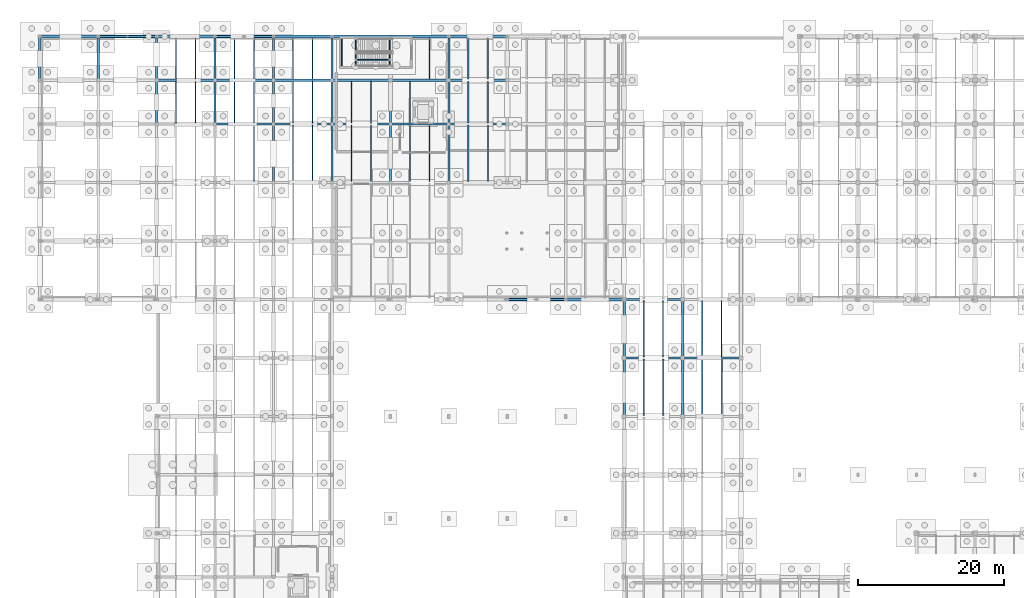
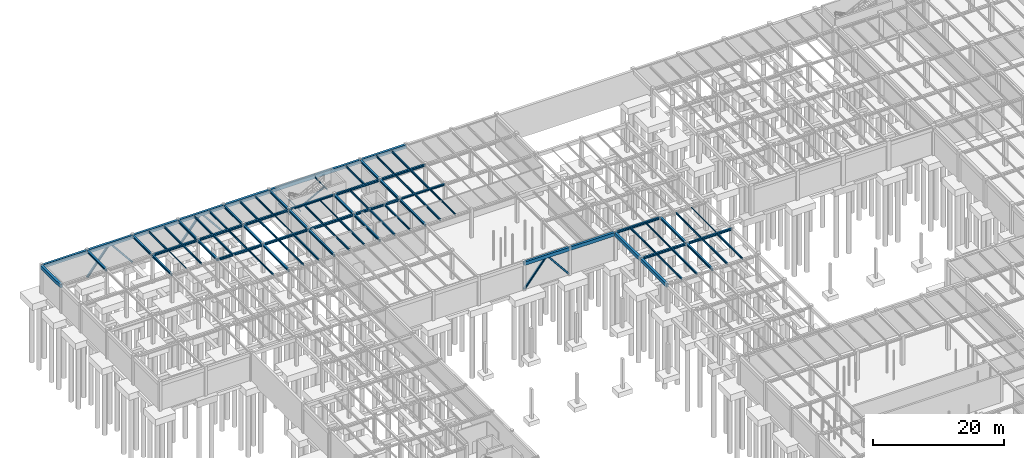
# One storey, part 26 of 71: 85 beams, 7 members.
"""IFC4 building model written with IfcOpenShell, lengths in metres."""

from ifc_helpers import new_model, si_unit, direction, frame, origin, origin_2d, place, context, subcontext, project, spatial, rectangle, i_section, extrude, material, material_profile, profile_set, type_object, element, save


model = new_model("IFC4")

# Units and contexts
model_context = context("Model", 3, precision=1e-05, world=origin(), true_north=direction((0.0, 1.0)))
body_context = subcontext(model_context, "Body", "Model", "MODEL_VIEW")
ifc_project = project(units=[si_unit("LENGTHUNIT", "METRE"), si_unit("AREAUNIT", "SQUARE_METRE"), si_unit("VOLUMEUNIT", "CUBIC_METRE"), si_unit("PLANEANGLEUNIT", "RADIAN"), si_unit("MASSUNIT", "GRAM", prefix="KILO")], contexts=[model_context])

# Site, building, storey
site_placement = place(None, origin())
site = spatial("IfcSite", under=ifc_project, at=site_placement, CompositionType="ELEMENT")
building_placement = place(site_placement, origin())
building = spatial("IfcBuilding", under=site, at=building_placement, Name="Sundkrona Museum", CompositionType="ELEMENT")
storey_placement = place(building_placement, frame((0.0, 0.0, -5.39990234375)))
storey = spatial("IfcBuildingStorey", under=building, at=storey_placement, Name="B1", CompositionType="ELEMENT", Elevation=-5.39990234375)

# Beams
ifc_material_1 = material(Name="Steel S355J2", Category="steel")
ifc_material_profile_1 = material_profile(ifc_material_1, i_section(OverallWidth=0.300048828125, OverallDepth=0.2900390625, WebThickness=0.008544921875, FlangeThickness=0.013916015625, FilletRadius=0.027099609375, at=origin_2d()), Name="HEA 300")
ifc_profile_set_1 = profile_set([ifc_material_profile_1], Name="Steel S355J2")
beam_type_1 = type_object("IfcBeamType", Name="B-HEA300", PredefinedType="BEAM", material=ifc_profile_set_1)
beam_1_placement = place(storey_placement, frame((56.0, 102.0, 5.014892578125), z_axis=(1.0, 0.0, 0.0), x_axis=(0.0, 1.0, 0.0)))
element("IfcBeam", 1, at=beam_1_placement, inside=storey, type_object=beam_type_1, Name="B1 Girder X-0162", PredefinedType="BEAM", context=body_context, shape_type="SweptSolid", body=[
    extrude(i_section(OverallWidth=0.300048828125, OverallDepth=0.2900390625, WebThickness=0.008544921875, FlangeThickness=0.013916015625, FilletRadius=0.027099609375, at=origin_2d()), origin(), (0.0, 0.0, 1.0), 8.0),
])
ifc_material_profile_2 = material_profile(ifc_material_1, i_section(OverallWidth=0.300048828125, OverallDepth=0.300048828125, WebThickness=0.010986328125, FlangeThickness=0.01904296875, FilletRadius=0.027099609375, at=origin_2d()), Name="HEB 300")
ifc_profile_set_2 = profile_set([ifc_material_profile_2], Name="Steel S355J2")
beam_type_2 = type_object("IfcBeamType", Name="B-HEB300", PredefinedType="BEAM", material=ifc_profile_set_2)
beam_2_placement = place(storey_placement, frame((40.0, 108.0, 5.010009765625), z_axis=(1.0, 0.0, 0.0), x_axis=(0.0, 1.0, 0.0)))
element("IfcBeam", 2, at=beam_2_placement, inside=storey, type_object=beam_type_2, Name="B1 Girder X-0180", PredefinedType="BEAM", context=body_context, shape_type="SweptSolid", body=[
    extrude(i_section(OverallWidth=0.300048828125, OverallDepth=0.300048828125, WebThickness=0.010986328125, FlangeThickness=0.01904296875, FilletRadius=0.027099609375, at=origin_2d()), origin(), (0.0, 0.0, 1.0), 8.0),
])
ifc_material_profile_3 = material_profile(ifc_material_1, i_section(OverallWidth=0.300048828125, OverallDepth=0.39990234375, WebThickness=0.013427734375, FlangeThickness=0.02392578125, FilletRadius=0.027099609375, at=origin_2d()), Name="HEB 400")
ifc_profile_set_3 = profile_set([ifc_material_profile_3], Name="Steel S355J2")
beam_type_3 = type_object("IfcBeamType", Name="B-HEB400", PredefinedType="BEAM", material=ifc_profile_set_3)
for number, where, z_axis, x_axis, name in (
    (3, (80.0, 70.0, 4.93994140625), (1.0, 0.0, 0.0), (0.0, 1.0, 0.0), "B1 Girder X-0091"),
    (4, (88.0, 70.0, 4.93994140625), (1.0, 0.0, 0.0), (0.0, 1.0, 0.0), "B1 Girder X-0092"),
    (5, (80.0, 78.0, 4.93994140625), (1.0, 0.0, 0.0), (0.0, 1.0, 0.0), "B1 Girder X-0107"),
    (6, (24.0, 102.0, 4.9599609375), (1.0, 0.0, 0.0), (0.0, 1.0, 0.0), "B1 Girder X-0158"),
    (7, (32.0, 102.0, 4.9599609375), (1.0, 0.0, 0.0), (0.0, 1.0, 0.0), "B1 Girder X-0159"),
    (8, (40.0, 102.0, 4.9599609375), (1.0, 0.0, 0.0), (0.0, 1.0, 0.0), "B1 Girder X-0160"),
    (9, (48.0, 102.0, 4.9599609375), (1.0, 0.0, 0.0), (0.0, 1.0, 0.0), "B1 Girder X-0161"),
    (10, (16.0, 108.0, 4.9599609375), (1.0, 0.0, 0.0), (0.0, 1.0, 0.0), "B1 Girder X-0177"),
    (11, (24.0, 108.0, 4.9599609375), (1.0, 0.0, 0.0), (0.0, 1.0, 0.0), "B1 Girder X-0178"),
    (12, (32.0, 108.0, 4.9599609375), (1.0, 0.0, 0.0), (0.0, 1.0, 0.0), "B1 Girder X-0179"),
    (13, (48.0, 108.0, 4.9599609375), (1.0, 0.0, 0.0), (0.0, 1.0, 0.0), "B1 Girder X-0181"),
    (14, (56.0, 108.0, 4.9599609375), (1.0, 0.0, 0.0), (0.0, 1.0, 0.0), "B1 Girder X-0182"),
):
    element("IfcBeam", number, at=place(storey_placement, frame(where, z_axis=z_axis, x_axis=x_axis)), inside=storey, type_object=beam_type_3, Name=name, PredefinedType="BEAM", context=body_context, shape_type="SweptSolid", body=[
        extrude(i_section(OverallWidth=0.300048828125, OverallDepth=0.39990234375, WebThickness=0.013427734375, FlangeThickness=0.02392578125, FilletRadius=0.027099609375, at=origin_2d()), origin(), (0.0, 0.0, 1.0), 8.0),
    ])
for number, where, z_axis, x_axis, name in (
    (15, (8.0, 108.0, 4.9599609375), (0.0, 1.0, 0.0), (-1.0, 0.0, 0.0), "B1 Girder Y-0220"),
    (16, (16.0, 102.0, 4.9599609375), (0.0, 1.0, 0.0), (-1.0, 0.0, 0.0), "B1 Girder Y-0225"),
    (17, (16.0, 108.0, 4.9599609375), (0.0, 1.0, 0.0), (-1.0, 0.0, 0.0), "B1 Girder Y-0226"),
    (18, (24.0, 102.0, 4.9599609375), (0.0, 1.0, 0.0), (-1.0, 0.0, 0.0), "B1 Girder Y-0236"),
    (19, (24.0, 108.0, 4.9599609375), (0.0, 1.0, 0.0), (-1.0, 0.0, 0.0), "B1 Girder Y-0237"),
):
    element("IfcBeam", number, at=place(storey_placement, frame(where, z_axis=z_axis, x_axis=x_axis)), inside=storey, type_object=beam_type_3, Name=name, PredefinedType="BEAM", context=body_context, shape_type="SweptSolid", body=[
        extrude(i_section(OverallWidth=0.300048828125, OverallDepth=0.39990234375, WebThickness=0.013427734375, FlangeThickness=0.02392578125, FilletRadius=0.027099609375, at=origin_2d()), origin(), (0.0, 0.0, 1.0), 6.0),
    ])
beam_3_placement = place(storey_placement, frame((32.0, 94.0, 4.9599609375), z_axis=(0.0, 1.0, 0.0), x_axis=(-1.0, 0.0, 0.0)))
element("IfcBeam", 20, at=beam_3_placement, inside=storey, type_object=beam_type_3, Name="B1 Girder Y-0245", PredefinedType="BEAM", context=body_context, shape_type="SweptSolid", body=[
    extrude(i_section(OverallWidth=0.300048828125, OverallDepth=0.39990234375, WebThickness=0.013427734375, FlangeThickness=0.02392578125, FilletRadius=0.027099609375, at=origin_2d()), origin(), (0.0, 0.0, 1.0), 8.0),
])
for number, where, z_axis, x_axis, name in (
    (21, (32.0, 102.0, 4.9599609375), (0.0, 1.0, 0.0), (-1.0, 0.0, 0.0), "B1 Girder Y-0246"),
    (22, (32.0, 108.0, 4.9599609375), (0.0, 1.0, 0.0), (-1.0, 0.0, 0.0), "B1 Girder Y-0247"),
):
    element("IfcBeam", number, at=place(storey_placement, frame(where, z_axis=z_axis, x_axis=x_axis)), inside=storey, type_object=beam_type_3, Name=name, PredefinedType="BEAM", context=body_context, shape_type="SweptSolid", body=[
        extrude(i_section(OverallWidth=0.300048828125, OverallDepth=0.39990234375, WebThickness=0.013427734375, FlangeThickness=0.02392578125, FilletRadius=0.027099609375, at=origin_2d()), origin(), (0.0, 0.0, 1.0), 6.0),
    ])
beam_4_placement = place(storey_placement, frame((40.0, 94.0, 4.9599609375), z_axis=(0.0, 1.0, 0.0), x_axis=(-1.0, 0.0, 0.0)))
element("IfcBeam", 23, at=beam_4_placement, inside=storey, type_object=beam_type_3, Name="B1 Girder Y-0256", PredefinedType="BEAM", context=body_context, shape_type="SweptSolid", body=[
    extrude(i_section(OverallWidth=0.300048828125, OverallDepth=0.39990234375, WebThickness=0.013427734375, FlangeThickness=0.02392578125, FilletRadius=0.027099609375, at=origin_2d()), origin(), (0.0, 0.0, 1.0), 8.0),
])
for number, where, z_axis, x_axis, name in (
    (24, (40.0, 102.0, 4.9599609375), (0.0, 1.0, 0.0), (-1.0, 0.0, 0.0), "B1 Girder Y-0257"),
    (25, (40.0, 108.0, 4.9599609375), (0.0, 1.0, 0.0), (-1.0, 0.0, 0.0), "B1 Girder Y-0258"),
):
    element("IfcBeam", number, at=place(storey_placement, frame(where, z_axis=z_axis, x_axis=x_axis)), inside=storey, type_object=beam_type_3, Name=name, PredefinedType="BEAM", context=body_context, shape_type="SweptSolid", body=[
        extrude(i_section(OverallWidth=0.300048828125, OverallDepth=0.39990234375, WebThickness=0.013427734375, FlangeThickness=0.02392578125, FilletRadius=0.027099609375, at=origin_2d()), origin(), (0.0, 0.0, 1.0), 6.0),
    ])
beam_5_placement = place(storey_placement, frame((48.0, 94.0, 4.9599609375), z_axis=(0.0, 1.0, 0.0), x_axis=(-1.0, 0.0, 0.0)))
element("IfcBeam", 26, at=beam_5_placement, inside=storey, type_object=beam_type_3, Name="B1 Girder Y-0261", PredefinedType="BEAM", context=body_context, shape_type="SweptSolid", body=[
    extrude(i_section(OverallWidth=0.300048828125, OverallDepth=0.39990234375, WebThickness=0.013427734375, FlangeThickness=0.02392578125, FilletRadius=0.027099609375, at=origin_2d()), origin(), (0.0, 0.0, 1.0), 8.0),
])
beam_6_placement = place(storey_placement, frame((48.0, 102.0, 4.9599609375), z_axis=(0.0, 1.0, 0.0), x_axis=(-1.0, 0.0, 0.0)))
element("IfcBeam", 27, at=beam_6_placement, inside=storey, type_object=beam_type_3, Name="B1 Girder Y-0262", PredefinedType="BEAM", context=body_context, shape_type="SweptSolid", body=[
    extrude(i_section(OverallWidth=0.300048828125, OverallDepth=0.39990234375, WebThickness=0.013427734375, FlangeThickness=0.02392578125, FilletRadius=0.027099609375, at=origin_2d()), origin(), (0.0, 0.0, 1.0), 6.0),
])
beam_7_placement = place(storey_placement, frame((56.0, 94.0, 4.9599609375), z_axis=(0.0, 1.0, 0.0), x_axis=(-1.0, 0.0, 0.0)))
element("IfcBeam", 28, at=beam_7_placement, inside=storey, type_object=beam_type_3, Name="B1 Girder Y-0265", PredefinedType="BEAM", context=body_context, shape_type="SweptSolid", body=[
    extrude(i_section(OverallWidth=0.300048828125, OverallDepth=0.39990234375, WebThickness=0.013427734375, FlangeThickness=0.02392578125, FilletRadius=0.027099609375, at=origin_2d()), origin(), (0.0, 0.0, 1.0), 8.0),
])
for number, where, z_axis, x_axis, name in (
    (29, (56.0, 102.0, 4.9599609375), (0.0, 1.0, 0.0), (-1.0, 0.0, 0.0), "B1 Girder Y-0266"),
    (30, (56.0, 108.0, 4.9599609375), (0.0, 1.0, 0.0), (-1.0, 0.0, 0.0), "B1 Girder Y-0267"),
):
    element("IfcBeam", number, at=place(storey_placement, frame(where, z_axis=z_axis, x_axis=x_axis)), inside=storey, type_object=beam_type_3, Name=name, PredefinedType="BEAM", context=body_context, shape_type="SweptSolid", body=[
        extrude(i_section(OverallWidth=0.300048828125, OverallDepth=0.39990234375, WebThickness=0.013427734375, FlangeThickness=0.02392578125, FilletRadius=0.027099609375, at=origin_2d()), origin(), (0.0, 0.0, 1.0), 6.0),
    ])
for number, where, z_axis, x_axis, name in (
    (31, (88.0, 62.0, 4.93994140625), (0.0, 1.0, 0.0), (-1.0, 0.0, 0.0), "B1 Girder Y-0299"),
    (32, (88.0, 70.0, 4.93994140625), (0.0, 1.0, 0.0), (-1.0, 0.0, 0.0), "B1 Girder Y-0300"),
):
    element("IfcBeam", number, at=place(storey_placement, frame(where, z_axis=z_axis, x_axis=x_axis)), inside=storey, type_object=beam_type_3, Name=name, PredefinedType="BEAM", context=body_context, shape_type="SweptSolid", body=[
        extrude(i_section(OverallWidth=0.300048828125, OverallDepth=0.39990234375, WebThickness=0.013427734375, FlangeThickness=0.02392578125, FilletRadius=0.027099609375, at=origin_2d()), origin(), (0.0, 0.0, 1.0), 8.0),
    ])
ifc_material_2 = material(Name="Concrete C40/50", Category="concrete")
ifc_material_profile_4 = material_profile(ifc_material_2, rectangle(XDim=0.39990234375, YDim=0.64990234375, at=origin_2d()), Name="RCB 400x650")
ifc_profile_set_4 = profile_set([ifc_material_profile_4], Name="Concrete C40/50")
beam_type_4 = type_object("IfcBeamType", Name="B-RC400", PredefinedType="BEAM", material=ifc_profile_set_4)
for number, where, z_axis, x_axis, name in (
    (33, (64.0, 78.0, 4.8349609375), (1.0, 0.0, 0.0), (0.0, 1.0, 0.0), "B1 Girder X-0105"),
    (34, (72.0, 78.0, 4.81494140625), (1.0, 0.0, 0.0), (0.0, 1.0, 0.0), "B1 Girder X-0106"),
    (35, (0.0, 114.0, 4.8349609375), (1.0, 0.0, 0.0), (0.0, 1.0, 0.0), "B1 Girder X-0193"),
    (36, (8.0, 114.0, 4.8349609375), (1.0, 0.0, 0.0), (0.0, 1.0, 0.0), "B1 Girder X-0194"),
    (37, (16.0, 114.0, 4.8349609375), (1.0, 0.0, 0.0), (0.0, 1.0, 0.0), "B1 Girder X-0195"),
    (38, (24.0, 114.0, 4.8349609375), (1.0, 0.0, 0.0), (0.0, 1.0, 0.0), "B1 Girder X-0196"),
    (39, (32.0, 114.0, 4.8349609375), (1.0, 0.0, 0.0), (0.0, 1.0, 0.0), "B1 Girder X-0197"),
    (40, (40.0, 114.0, 4.8349609375), (1.0, 0.0, 0.0), (0.0, 1.0, 0.0), "B1 Girder X-0198"),
    (41, (48.0, 114.0, 4.8349609375), (1.0, 0.0, 0.0), (0.0, 1.0, 0.0), "B1 Girder X-0199"),
    (42, (56.0, 114.0, 4.8349609375), (1.0, 0.0, 0.0), (0.0, 1.0, 0.0), "B1 Girder X-0200"),
):
    element("IfcBeam", number, at=place(storey_placement, frame(where, z_axis=z_axis, x_axis=x_axis)), inside=storey, type_object=beam_type_4, Name=name, PredefinedType="BEAM", context=body_context, shape_type="SweptSolid", body=[
        extrude(rectangle(XDim=0.39990234375, YDim=0.64990234375, at=origin_2d()), origin(), (0.0, 0.0, 1.0), 8.0),
    ])
beam_8_placement = place(storey_placement, frame((0.0, 108.0, 4.8349609375), z_axis=(0.0, 1.0, 0.0), x_axis=(-1.0, 0.0, 0.0)))
element("IfcBeam", 43, at=beam_8_placement, inside=storey, type_object=beam_type_4, Name="B1 Girder Y-0215", PredefinedType="BEAM", context=body_context, shape_type="SweptSolid", body=[
    extrude(rectangle(XDim=0.39990234375, YDim=0.64990234375, at=origin_2d()), origin(), (0.0, 0.0, 1.0), 6.0),
])
for number, where, z_axis, x_axis, name in (
    (44, (80.0, 62.0, 4.81494140625), (0.0, 1.0, 0.0), (-1.0, 0.0, 0.0), "B1 Girder Y-0284"),
    (45, (80.0, 70.0, 4.81494140625), (0.0, 1.0, 0.0), (-1.0, 0.0, 0.0), "B1 Girder Y-0285"),
):
    element("IfcBeam", number, at=place(storey_placement, frame(where, z_axis=z_axis, x_axis=x_axis)), inside=storey, type_object=beam_type_4, Name=name, PredefinedType="BEAM", context=body_context, shape_type="SweptSolid", body=[
        extrude(rectangle(XDim=0.39990234375, YDim=0.64990234375, at=origin_2d()), origin(), (0.0, 0.0, 1.0), 8.0),
    ])

# Members
ifc_material_profile_5 = material_profile(ifc_material_1, i_section(OverallWidth=0.300048828125, OverallDepth=0.2900390625, WebThickness=0.008544921875, FlangeThickness=0.013916015625, FilletRadius=0.027099609375, at=origin_2d()), Name="HEA 300")
ifc_profile_set_5 = profile_set([ifc_material_profile_5], Name="Steel S355J2")
member_type_1 = type_object("IfcMemberType", Name="BR-HEA300", PredefinedType="BRACE", material=ifc_profile_set_5)
for number, where, z_axis, x_axis, name in (
    (46, (24.0, 114.0, 0.0), (0.629293246808, 0.0, 0.777167941645), (0.0, 1.0, 0.0), "CBR-1 B1 Concentric Chevron Brace 013A"),
    (47, (32.0, 114.0, 0.0), (-0.629293246808, 0.0, 0.777167941645), (0.0, -1.0, 0.0), "CBR-1 B1 Concentric Chevron Brace 013B"),
    (48, (64.0, 78.0, 0.0), (0.629293246808, 0.0, 0.777167941645), (0.0, 1.0, 0.0), "CBR-1 B1 Concentric Chevron Brace 018A"),
    (49, (72.0, 78.0, 0.0), (-0.629293246808, 0.0, 0.777167941645), (0.0, -1.0, 0.0), "CBR-1 B1 Concentric Chevron Brace 018B"),
    (50, (8.0, 114.0, 0.0), (0.629293246808, 0.0, 0.777167941645), (0.0, 1.0, 0.0), "CBR-1 B1 Concentric Chevron Brace 032A"),
    (51, (16.0, 114.0, 0.0), (-0.629293246808, 0.0, 0.777167941645), (0.0, -1.0, 0.0), "CBR-1 B1 Concentric Chevron Brace 032B"),
):
    element("IfcMember", number, at=place(storey_placement, frame(where, z_axis=z_axis, x_axis=x_axis)), inside=storey, type_object=member_type_1, Name=name, PredefinedType="BRACE", context=body_context, shape_type="SweptSolid", body=[
        extrude(i_section(OverallWidth=0.300048828125, OverallDepth=0.2900390625, WebThickness=0.008544921875, FlangeThickness=0.013916015625, FilletRadius=0.027099609375, at=origin_2d()), origin(), (0.0, 0.0, 1.0), 6.3564453125),
    ])
ifc_material_profile_6 = material_profile(ifc_material_1, i_section(OverallWidth=0.135009765625, OverallDepth=0.27001953125, WebThickness=0.006591796875, FlangeThickness=0.01025390625, FilletRadius=0.014892578125, at=origin_2d()), Name="IPE 270")
ifc_profile_set_6 = profile_set([ifc_material_profile_6], Name="Steel S355J2")
member_type_2 = type_object("IfcMemberType", Name="BR-IPE270", PredefinedType="BRACE", material=ifc_profile_set_6)
member_placement = place(storey_placement, frame((43.284912109375, 110.800048828125, 2.3798828125), z_axis=(0.884492571905, 0.0, 0.466554273632), x_axis=(0.0, 1.0, 0.0)))
element("IfcMember", 52, at=member_placement, inside=storey, type_object=member_type_2, Name="SRK-1 B1 ST-3 Flight 2 Inclined Carriage Raker", PredefinedType="BRACE", context=body_context, shape_type="SweptSolid", body=[
    extrude(i_section(OverallWidth=0.135009765625, OverallDepth=0.27001953125, WebThickness=0.006591796875, FlangeThickness=0.01025390625, FilletRadius=0.014892578125, at=origin_2d()), origin(), (0.0, 0.0, 1.0), 5.2177734375),
])

# Beams
ifc_material_profile_7 = material_profile(ifc_material_1, i_section(OverallWidth=0.091064453125, OverallDepth=0.179931640625, WebThickness=0.00537109375, FlangeThickness=0.008056640625, FilletRadius=0.009033203125, at=origin_2d()), Name="IPE 180")
ifc_profile_set_7 = profile_set([ifc_material_profile_7], Name="Steel S355J2")
beam_type_5 = type_object("IfcBeamType", Name="J-IPE180", PredefinedType="JOIST", material=ifc_profile_set_7)
for number, where, z_axis, x_axis, name in (
    (53, (18.666748046875, 102.14404296875, 5.06982421875), (0.0, 1.0, 0.0), (-1.0, 0.0, 0.0), "B1 Composite Joist 0015"),
    (54, (37.333251953125, 102.14404296875, 5.06982421875), (0.0, 1.0, 0.0), (-1.0, 0.0, 0.0), "B1 Composite Joist 0055"),
):
    element("IfcBeam", number, at=place(storey_placement, frame(where, z_axis=z_axis, x_axis=x_axis)), inside=storey, type_object=beam_type_5, Name=name, PredefinedType="JOIST", context=body_context, shape_type="SweptSolid", body=[
        extrude(i_section(OverallWidth=0.091064453125, OverallDepth=0.179931640625, WebThickness=0.00537109375, FlangeThickness=0.008056640625, FilletRadius=0.009033203125, at=origin_2d()), origin(), (0.0, 0.0, 1.0), 5.7119140625),
    ])
beam_9_placement = place(storey_placement, frame((93.333251953125, 70.14404296875, 5.0498046875), z_axis=(0.0, 1.0, 0.0), x_axis=(-1.0, 0.0, 0.0)))
element("IfcBeam", 55, at=beam_9_placement, inside=storey, type_object=beam_type_5, Name="B1 Composite Joist 0135", PredefinedType="JOIST", context=body_context, shape_type="SweptSolid", body=[
    extrude(i_section(OverallWidth=0.091064453125, OverallDepth=0.179931640625, WebThickness=0.00537109375, FlangeThickness=0.008056640625, FilletRadius=0.009033203125, at=origin_2d()), origin(), (0.0, 0.0, 1.0), 7.7119140625),
])
ifc_material_profile_8 = material_profile(ifc_material_1, i_section(OverallWidth=0.10009765625, OverallDepth=0.199951171875, WebThickness=0.005615234375, FlangeThickness=0.008544921875, FilletRadius=0.011962890625, at=origin_2d()), Name="IPE 200")
ifc_profile_set_8 = profile_set([ifc_material_profile_8], Name="Steel S355J2")
beam_type_6 = type_object("IfcBeamType", Name="J-IPE200", PredefinedType="JOIST", material=ifc_profile_set_8)
for number, where, z_axis, x_axis, name in (
    (56, (41.339599609375, 109.909912109375, 2.3798828125), (0.0, 1.0, 0.0), (-1.0, 0.0, 0.0), "B1 ST-3 Mid-Landing Trimmer Beam 1A"),
    (57, (43.245361328125, 109.909912109375, 2.3798828125), (0.0, 1.0, 0.0), (-1.0, 0.0, 0.0), "B1 ST-3 Mid-Landing Trimmer Beam 1B"),
    (58, (47.89990234375, 109.909912109375, 4.814208984375), (0.0, 1.0, 0.0), (-1.0, 0.0, 0.0), "B1 ST-3 Flight 2 Arrival Header Beam"),
):
    element("IfcBeam", number, at=place(storey_placement, frame(where, z_axis=z_axis, x_axis=x_axis)), inside=storey, type_object=beam_type_6, Name=name, PredefinedType="JOIST", context=body_context, shape_type="SweptSolid", body=[
        extrude(i_section(OverallWidth=0.10009765625, OverallDepth=0.199951171875, WebThickness=0.005615234375, FlangeThickness=0.008544921875, FilletRadius=0.011962890625, at=origin_2d()), origin(), (0.0, 0.0, 1.0), 3.780029296875),
    ])
ifc_material_profile_9 = material_profile(ifc_material_1, i_section(OverallWidth=0.1201171875, OverallDepth=0.239990234375, WebThickness=0.006103515625, FlangeThickness=0.009765625, FilletRadius=0.014892578125, at=origin_2d()), Name="IPE 240")
ifc_profile_set_9 = profile_set([ifc_material_profile_9], Name="Steel S355J2")
beam_type_7 = type_object("IfcBeamType", Name="J-IPE240", PredefinedType="JOIST", material=ifc_profile_set_9)
beam_10_placement = place(storey_placement, frame((45.333251953125, 102.14404296875, 5.039794921875), z_axis=(0.0, 1.0, 0.0), x_axis=(-1.0, 0.0, 0.0)))
element("IfcBeam", 59, at=beam_10_placement, inside=storey, type_object=beam_type_7, Name="B1 Composite Joist 0065", PredefinedType="JOIST", context=body_context, shape_type="SweptSolid", body=[
    extrude(i_section(OverallWidth=0.1201171875, OverallDepth=0.239990234375, WebThickness=0.006103515625, FlangeThickness=0.009765625, FilletRadius=0.014892578125, at=origin_2d()), origin(), (0.0, 0.0, 1.0), 5.7119140625),
])
ifc_material_profile_10 = material_profile(ifc_material_1, i_section(OverallWidth=0.14990234375, OverallDepth=0.300048828125, WebThickness=0.007080078125, FlangeThickness=0.0107421875, FilletRadius=0.014892578125, at=origin_2d()), Name="IPE 300")
ifc_profile_set_10 = profile_set([ifc_material_profile_10], Name="Steel S355J2")
beam_type_8 = type_object("IfcBeamType", Name="J-IPE300", PredefinedType="JOIST", material=ifc_profile_set_10)
for number, where, z_axis, x_axis, name in (
    (60, (29.333251953125, 94.14404296875, 5.010009765625), (0.0, 1.0, 0.0), (-1.0, 0.0, 0.0), "B1 Composite Joist 0035"),
    (61, (61.333251953125, 94.14404296875, 5.010009765625), (0.0, 1.0, 0.0), (-1.0, 0.0, 0.0), "B1 Composite Joist 0075"),
    (62, (85.333251953125, 70.14404296875, 4.989990234375), (0.0, 1.0, 0.0), (-1.0, 0.0, 0.0), "B1 Composite Joist 0115"),
):
    element("IfcBeam", number, at=place(storey_placement, frame(where, z_axis=z_axis, x_axis=x_axis)), inside=storey, type_object=beam_type_8, Name=name, PredefinedType="JOIST", context=body_context, shape_type="SweptSolid", body=[
        extrude(i_section(OverallWidth=0.14990234375, OverallDepth=0.300048828125, WebThickness=0.007080078125, FlangeThickness=0.0107421875, FilletRadius=0.014892578125, at=origin_2d()), origin(), (0.0, 0.0, 1.0), 7.7119140625),
    ])
ifc_material_profile_11 = material_profile(ifc_material_1, i_section(OverallWidth=0.169921875, OverallDepth=0.360107421875, WebThickness=0.008056640625, FlangeThickness=0.0126953125, FilletRadius=0.01806640625, at=origin_2d()), Name="IPE 360")
ifc_profile_set_11 = profile_set([ifc_material_profile_11], Name="Steel S355J2")
beam_type_9 = type_object("IfcBeamType", Name="J-IPE360", PredefinedType="JOIST", material=ifc_profile_set_11)
beam_11_placement = place(storey_placement, frame((21.333251953125, 102.14404296875, 4.97998046875), z_axis=(0.0, 1.0, 0.0), x_axis=(-1.0, 0.0, 0.0)))
element("IfcBeam", 63, at=beam_11_placement, inside=storey, type_object=beam_type_9, Name="B1 Composite Joist 0016", PredefinedType="JOIST", context=body_context, shape_type="SweptSolid", body=[
    extrude(i_section(OverallWidth=0.169921875, OverallDepth=0.360107421875, WebThickness=0.008056640625, FlangeThickness=0.0126953125, FilletRadius=0.01806640625, at=origin_2d()), origin(), (0.0, 0.0, 1.0), 5.7119140625),
])
for number, where, z_axis, x_axis, name in (
    (64, (18.666748046875, 108.14404296875, 4.97998046875), (0.0, 1.0, 0.0), (-1.0, 0.0, 0.0), "B1 Composite Joist 0017"),
    (65, (21.333251953125, 108.14404296875, 4.97998046875), (0.0, 1.0, 0.0), (-1.0, 0.0, 0.0), "B1 Composite Joist 0018"),
):
    element("IfcBeam", number, at=place(storey_placement, frame(where, z_axis=z_axis, x_axis=x_axis)), inside=storey, type_object=beam_type_9, Name=name, PredefinedType="JOIST", context=body_context, shape_type="SweptSolid", body=[
        extrude(i_section(OverallWidth=0.169921875, OverallDepth=0.360107421875, WebThickness=0.008056640625, FlangeThickness=0.0126953125, FilletRadius=0.01806640625, at=origin_2d()), origin(), (0.0, 0.0, 1.0), 5.661865234375),
    ])
for number, where, z_axis, x_axis, name in (
    (66, (26.666748046875, 102.14404296875, 4.97998046875), (0.0, 1.0, 0.0), (-1.0, 0.0, 0.0), "B1 Composite Joist 0036"),
    (67, (29.333251953125, 102.14404296875, 4.97998046875), (0.0, 1.0, 0.0), (-1.0, 0.0, 0.0), "B1 Composite Joist 0037"),
):
    element("IfcBeam", number, at=place(storey_placement, frame(where, z_axis=z_axis, x_axis=x_axis)), inside=storey, type_object=beam_type_9, Name=name, PredefinedType="JOIST", context=body_context, shape_type="SweptSolid", body=[
        extrude(i_section(OverallWidth=0.169921875, OverallDepth=0.360107421875, WebThickness=0.008056640625, FlangeThickness=0.0126953125, FilletRadius=0.01806640625, at=origin_2d()), origin(), (0.0, 0.0, 1.0), 5.7119140625),
    ])
for number, where, z_axis, x_axis, name in (
    (68, (26.666748046875, 108.14404296875, 4.97998046875), (0.0, 1.0, 0.0), (-1.0, 0.0, 0.0), "B1 Composite Joist 0038"),
    (69, (29.333251953125, 108.14404296875, 4.97998046875), (0.0, 1.0, 0.0), (-1.0, 0.0, 0.0), "B1 Composite Joist 0039"),
):
    element("IfcBeam", number, at=place(storey_placement, frame(where, z_axis=z_axis, x_axis=x_axis)), inside=storey, type_object=beam_type_9, Name=name, PredefinedType="JOIST", context=body_context, shape_type="SweptSolid", body=[
        extrude(i_section(OverallWidth=0.169921875, OverallDepth=0.360107421875, WebThickness=0.008056640625, FlangeThickness=0.0126953125, FilletRadius=0.01806640625, at=origin_2d()), origin(), (0.0, 0.0, 1.0), 5.661865234375),
    ])
for number, where, z_axis, x_axis, name in (
    (70, (34.666748046875, 94.14404296875, 4.97998046875), (0.0, 1.0, 0.0), (-1.0, 0.0, 0.0), "B1 Composite Joist 0052"),
    (71, (37.333251953125, 94.14404296875, 4.97998046875), (0.0, 1.0, 0.0), (-1.0, 0.0, 0.0), "B1 Composite Joist 0053"),
):
    element("IfcBeam", number, at=place(storey_placement, frame(where, z_axis=z_axis, x_axis=x_axis)), inside=storey, type_object=beam_type_9, Name=name, PredefinedType="JOIST", context=body_context, shape_type="SweptSolid", body=[
        extrude(i_section(OverallWidth=0.169921875, OverallDepth=0.360107421875, WebThickness=0.008056640625, FlangeThickness=0.0126953125, FilletRadius=0.01806640625, at=origin_2d()), origin(), (0.0, 0.0, 1.0), 7.7119140625),
    ])
beam_12_placement = place(storey_placement, frame((34.666748046875, 102.14404296875, 4.97998046875), z_axis=(0.0, 1.0, 0.0), x_axis=(-1.0, 0.0, 0.0)))
element("IfcBeam", 72, at=beam_12_placement, inside=storey, type_object=beam_type_9, Name="B1 Composite Joist 0054", PredefinedType="JOIST", context=body_context, shape_type="SweptSolid", body=[
    extrude(i_section(OverallWidth=0.169921875, OverallDepth=0.360107421875, WebThickness=0.008056640625, FlangeThickness=0.0126953125, FilletRadius=0.01806640625, at=origin_2d()), origin(), (0.0, 0.0, 1.0), 5.7119140625),
])
for number, where, z_axis, x_axis, name in (
    (73, (34.666748046875, 108.14404296875, 4.97998046875), (0.0, 1.0, 0.0), (-1.0, 0.0, 0.0), "B1 Composite Joist 0056"),
    (74, (37.333251953125, 108.14404296875, 4.97998046875), (0.0, 1.0, 0.0), (-1.0, 0.0, 0.0), "B1 Composite Joist 0057"),
):
    element("IfcBeam", number, at=place(storey_placement, frame(where, z_axis=z_axis, x_axis=x_axis)), inside=storey, type_object=beam_type_9, Name=name, PredefinedType="JOIST", context=body_context, shape_type="SweptSolid", body=[
        extrude(i_section(OverallWidth=0.169921875, OverallDepth=0.360107421875, WebThickness=0.008056640625, FlangeThickness=0.0126953125, FilletRadius=0.01806640625, at=origin_2d()), origin(), (0.0, 0.0, 1.0), 5.661865234375),
    ])
for number, where, z_axis, x_axis, name in (
    (75, (42.666748046875, 94.14404296875, 4.97998046875), (0.0, 1.0, 0.0), (-1.0, 0.0, 0.0), "B1 Composite Joist 0062"),
    (76, (45.333251953125, 94.14404296875, 4.97998046875), (0.0, 1.0, 0.0), (-1.0, 0.0, 0.0), "B1 Composite Joist 0063"),
):
    element("IfcBeam", number, at=place(storey_placement, frame(where, z_axis=z_axis, x_axis=x_axis)), inside=storey, type_object=beam_type_9, Name=name, PredefinedType="JOIST", context=body_context, shape_type="SweptSolid", body=[
        extrude(i_section(OverallWidth=0.169921875, OverallDepth=0.360107421875, WebThickness=0.008056640625, FlangeThickness=0.0126953125, FilletRadius=0.01806640625, at=origin_2d()), origin(), (0.0, 0.0, 1.0), 7.7119140625),
    ])
beam_13_placement = place(storey_placement, frame((42.666748046875, 102.14404296875, 4.97998046875), z_axis=(0.0, 1.0, 0.0), x_axis=(-1.0, 0.0, 0.0)))
element("IfcBeam", 77, at=beam_13_placement, inside=storey, type_object=beam_type_9, Name="B1 Composite Joist 0064", PredefinedType="JOIST", context=body_context, shape_type="SweptSolid", body=[
    extrude(i_section(OverallWidth=0.169921875, OverallDepth=0.360107421875, WebThickness=0.008056640625, FlangeThickness=0.0126953125, FilletRadius=0.01806640625, at=origin_2d()), origin(), (0.0, 0.0, 1.0), 5.7119140625),
])
beam_14_placement = place(storey_placement, frame((53.333251953125, 94.14404296875, 4.97998046875), z_axis=(0.0, 1.0, 0.0), x_axis=(-1.0, 0.0, 0.0)))
element("IfcBeam", 78, at=beam_14_placement, inside=storey, type_object=beam_type_9, Name="B1 Composite Joist 0071", PredefinedType="JOIST", context=body_context, shape_type="SweptSolid", body=[
    extrude(i_section(OverallWidth=0.169921875, OverallDepth=0.360107421875, WebThickness=0.008056640625, FlangeThickness=0.0126953125, FilletRadius=0.01806640625, at=origin_2d()), origin(), (0.0, 0.0, 1.0), 7.7119140625),
])
beam_15_placement = place(storey_placement, frame((50.666748046875, 102.14404296875, 4.97998046875), z_axis=(0.0, 1.0, 0.0), x_axis=(-1.0, 0.0, 0.0)))
element("IfcBeam", 79, at=beam_15_placement, inside=storey, type_object=beam_type_9, Name="B1 Composite Joist 0072", PredefinedType="JOIST", context=body_context, shape_type="SweptSolid", body=[
    extrude(i_section(OverallWidth=0.169921875, OverallDepth=0.360107421875, WebThickness=0.008056640625, FlangeThickness=0.0126953125, FilletRadius=0.01806640625, at=origin_2d()), origin(), (0.0, 0.0, 1.0), 5.7119140625),
])
beam_16_placement = place(storey_placement, frame((53.333251953125, 108.14404296875, 4.97998046875), z_axis=(0.0, 1.0, 0.0), x_axis=(-1.0, 0.0, 0.0)))
element("IfcBeam", 80, at=beam_16_placement, inside=storey, type_object=beam_type_9, Name="B1 Composite Joist 0073", PredefinedType="JOIST", context=body_context, shape_type="SweptSolid", body=[
    extrude(i_section(OverallWidth=0.169921875, OverallDepth=0.360107421875, WebThickness=0.008056640625, FlangeThickness=0.0126953125, FilletRadius=0.01806640625, at=origin_2d()), origin(), (0.0, 0.0, 1.0), 5.661865234375),
])
beam_17_placement = place(storey_placement, frame((58.666748046875, 94.14404296875, 4.97998046875), z_axis=(0.0, 1.0, 0.0), x_axis=(-1.0, 0.0, 0.0)))
element("IfcBeam", 81, at=beam_17_placement, inside=storey, type_object=beam_type_9, Name="B1 Composite Joist 0074", PredefinedType="JOIST", context=body_context, shape_type="SweptSolid", body=[
    extrude(i_section(OverallWidth=0.169921875, OverallDepth=0.360107421875, WebThickness=0.008056640625, FlangeThickness=0.0126953125, FilletRadius=0.01806640625, at=origin_2d()), origin(), (0.0, 0.0, 1.0), 7.7119140625),
])
for number, where, z_axis, x_axis, name in (
    (82, (58.666748046875, 102.14404296875, 4.97998046875), (0.0, 1.0, 0.0), (-1.0, 0.0, 0.0), "B1 Composite Joist 0076"),
    (83, (61.333251953125, 102.14404296875, 4.97998046875), (0.0, 1.0, 0.0), (-1.0, 0.0, 0.0), "B1 Composite Joist 0077"),
):
    element("IfcBeam", number, at=place(storey_placement, frame(where, z_axis=z_axis, x_axis=x_axis)), inside=storey, type_object=beam_type_9, Name=name, PredefinedType="JOIST", context=body_context, shape_type="SweptSolid", body=[
        extrude(i_section(OverallWidth=0.169921875, OverallDepth=0.360107421875, WebThickness=0.008056640625, FlangeThickness=0.0126953125, FilletRadius=0.01806640625, at=origin_2d()), origin(), (0.0, 0.0, 1.0), 5.7119140625),
    ])
for number, where, z_axis, x_axis, name in (
    (84, (58.666748046875, 108.14404296875, 4.97998046875), (0.0, 1.0, 0.0), (-1.0, 0.0, 0.0), "B1 Composite Joist 0078"),
    (85, (61.333251953125, 108.14404296875, 4.97998046875), (0.0, 1.0, 0.0), (-1.0, 0.0, 0.0), "B1 Composite Joist 0079"),
):
    element("IfcBeam", number, at=place(storey_placement, frame(where, z_axis=z_axis, x_axis=x_axis)), inside=storey, type_object=beam_type_9, Name=name, PredefinedType="JOIST", context=body_context, shape_type="SweptSolid", body=[
        extrude(i_section(OverallWidth=0.169921875, OverallDepth=0.360107421875, WebThickness=0.008056640625, FlangeThickness=0.0126953125, FilletRadius=0.01806640625, at=origin_2d()), origin(), (0.0, 0.0, 1.0), 5.661865234375),
    ])
for number, where, z_axis, x_axis, name in (
    (86, (82.666748046875, 62.14404296875, 4.9599609375), (0.0, 1.0, 0.0), (-1.0, 0.0, 0.0), "B1 Composite Joist 0112"),
    (87, (85.333251953125, 62.14404296875, 4.9599609375), (0.0, 1.0, 0.0), (-1.0, 0.0, 0.0), "B1 Composite Joist 0113"),
    (88, (82.666748046875, 70.14404296875, 4.9599609375), (0.0, 1.0, 0.0), (-1.0, 0.0, 0.0), "B1 Composite Joist 0114"),
    (89, (90.666748046875, 62.14404296875, 4.9599609375), (0.0, 1.0, 0.0), (-1.0, 0.0, 0.0), "B1 Composite Joist 0132"),
    (90, (93.333251953125, 62.14404296875, 4.9599609375), (0.0, 1.0, 0.0), (-1.0, 0.0, 0.0), "B1 Composite Joist 0133"),
    (91, (90.666748046875, 70.14404296875, 4.9599609375), (0.0, 1.0, 0.0), (-1.0, 0.0, 0.0), "B1 Composite Joist 0134"),
):
    element("IfcBeam", number, at=place(storey_placement, frame(where, z_axis=z_axis, x_axis=x_axis)), inside=storey, type_object=beam_type_9, Name=name, PredefinedType="JOIST", context=body_context, shape_type="SweptSolid", body=[
        extrude(i_section(OverallWidth=0.169921875, OverallDepth=0.360107421875, WebThickness=0.008056640625, FlangeThickness=0.0126953125, FilletRadius=0.01806640625, at=origin_2d()), origin(), (0.0, 0.0, 1.0), 7.7119140625),
    ])
ifc_material_profile_12 = material_profile(ifc_material_1, i_section(OverallWidth=0.179931640625, OverallDepth=0.39990234375, WebThickness=0.008544921875, FlangeThickness=0.013427734375, FilletRadius=0.02099609375, at=origin_2d()), Name="IPE 400")
ifc_profile_set_12 = profile_set([ifc_material_profile_12], Name="Steel S355J2")
beam_type_10 = type_object("IfcBeamType", Name="J-IPE400", PredefinedType="JOIST", material=ifc_profile_set_12)
beam_18_placement = place(storey_placement, frame((50.666748046875, 94.14404296875, 4.9599609375), z_axis=(0.0, 1.0, 0.0), x_axis=(-1.0, 0.0, 0.0)))
element("IfcBeam", 92, at=beam_18_placement, inside=storey, type_object=beam_type_10, Name="B1 Composite Joist 0070", PredefinedType="JOIST", context=body_context, shape_type="SweptSolid", body=[
    extrude(i_section(OverallWidth=0.179931640625, OverallDepth=0.39990234375, WebThickness=0.008544921875, FlangeThickness=0.013427734375, FilletRadius=0.02099609375, at=origin_2d()), origin(), (0.0, 0.0, 1.0), 7.7119140625),
])

save(model, "model.ifc")
